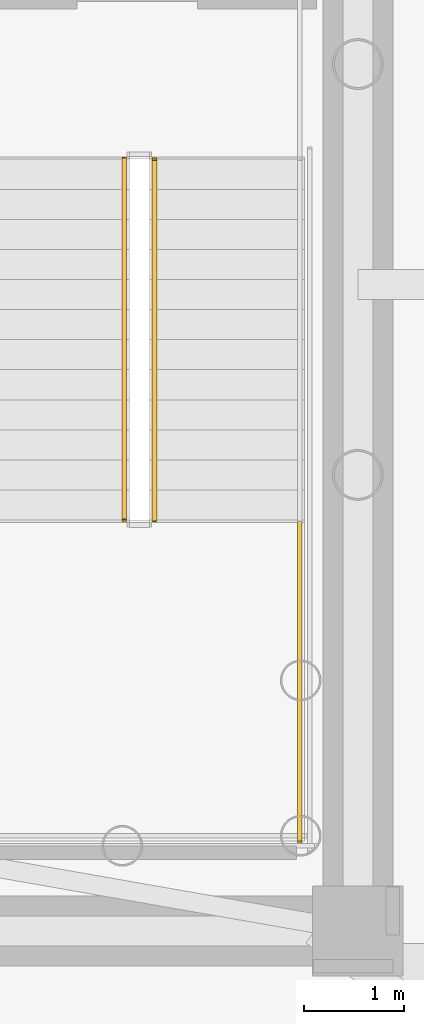
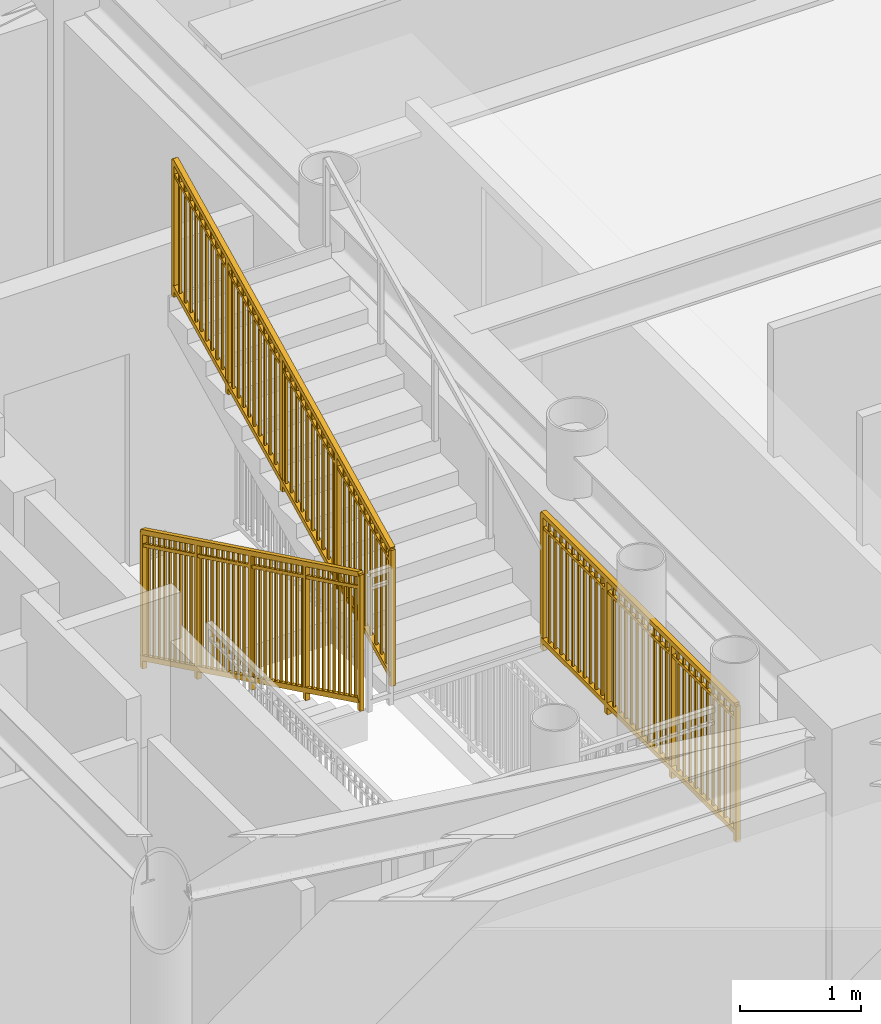
# One storey, part 13 of 17: 3 railings.
"""IFC4 building model written with IfcOpenShell, lengths in metres."""

import ifcopenshell
import ifcopenshell.guid

model = None  # the IFC model being written
_history = None  # IfcOwnerHistory: only IFC2X3 demands one
_inside = {}  # id of a spatial element -> (the spatial element, [elements in it])
_under = {}  # id of a project, library or spatial element -> (it, [spatial elements below it])
_declared = {}  # id of a project -> (the project, [libraries it declares])
_typed = {}  # id of a type object -> (the type object, [elements of that type])
_made_of = {}  # id of a material, layer set ... -> (it, [elements and type objects made of it])


def new_model(schema):
    """Start an empty IFC model of exactly this schema.

    Asked for "IFC4X3", IfcOpenShell would pick the latest addendum, in which some entities
    have other attributes; the version numbers below select the first issue.
    IFC2X3 requires an IfcOwnerHistory on every rooted entity: one is made here for all.
    """
    global model, _history
    if schema == "IFC4X3":
        model = ifcopenshell.file(schema_version=(4, 3, 0, 0))
    else:
        model = ifcopenshell.file(schema=schema)
    _inside.clear()
    _under.clear()
    _declared.clear()
    _typed.clear()
    _made_of.clear()
    _history = None
    if model.schema == "IFC2X3":
        org = make("IfcOrganization", Name="unknown")
        user = make(
            "IfcPersonAndOrganization",
            ThePerson=make("IfcPerson", FamilyName="unknown"),
            TheOrganization=org,
        )
        app = make(
            "IfcApplication",
            ApplicationDeveloper=org,
            Version="unknown",
            ApplicationFullName="unknown",
            ApplicationIdentifier="unknown",
        )
        _history = make(
            "IfcOwnerHistory",
            OwningUser=user,
            OwningApplication=app,
            ChangeAction="ADDED",
            CreationDate=0,
        )
    return model


def make(cls, **values):
    """One entity of the class cls with the attributes given. An attribute that is None is left unset."""
    return model.create_entity(
        cls, **{name: value for name, value in values.items() if value is not None}
    )


def rooted(cls, **values):
    """An entity with a GlobalId (a new one), such as an element, a storey or a relation."""
    return make(cls, GlobalId=ifcopenshell.guid.new(), OwnerHistory=_history, **values)


def si_unit(unit_type, name, prefix=None):
    """IfcSIUnit, for example si_unit("LENGTHUNIT", "METRE", prefix="MILLI")."""
    return make("IfcSIUnit", UnitType=unit_type, Prefix=prefix, Name=name)


def assignment(units):
    """IfcUnitAssignment: the units of a project."""
    return None if units is None else make("IfcUnitAssignment", Units=units)


def point(xyz):
    """IfcCartesianPoint."""
    return None if xyz is None else make("IfcCartesianPoint", Coordinates=xyz)


def direction(xyz):
    """IfcDirection."""
    return None if xyz is None else make("IfcDirection", DirectionRatios=xyz)


def frame(location, z_axis=None, x_axis=None):
    """IfcAxis2Placement3D, a coordinate frame: its origin and axes. An axis left out is left unset."""
    return make(
        "IfcAxis2Placement3D",
        Location=point(location),
        Axis=direction(z_axis),
        RefDirection=direction(x_axis),
    )


def frame_2d(location, x_axis=None):
    """IfcAxis2Placement2D, a coordinate frame in the plane: its origin and x axis."""
    return make(
        "IfcAxis2Placement2D", Location=point(location), RefDirection=direction(x_axis)
    )


def origin():
    """The frame at (0, 0, 0) with its axes left unset."""
    return frame((0.0, 0.0, 0.0))


def origin_2d():
    """The frame at (0, 0) in the plane with its x axis left unset."""
    return frame_2d((0.0, 0.0))


def place(relative_to, where):
    """IfcLocalPlacement: puts the frame where relative to a parent placement (None: the world)."""
    return make(
        "IfcLocalPlacement", PlacementRelTo=relative_to, RelativePlacement=where
    )


def context(
    kind, dimensions, precision=None, world=None, true_north=None, identifier=None
):
    """IfcGeometricRepresentationContext, for example the 3D "Model" context."""
    return make(
        "IfcGeometricRepresentationContext",
        ContextIdentifier=identifier,
        ContextType=kind,
        CoordinateSpaceDimension=dimensions,
        Precision=precision,
        WorldCoordinateSystem=world,
        TrueNorth=true_north,
    )


def subcontext(parent, identifier, kind, view, scale=None):
    """IfcGeometricRepresentationSubContext, for example "Body" below "Model"."""
    return make(
        "IfcGeometricRepresentationSubContext",
        ContextIdentifier=identifier,
        ContextType=kind,
        ParentContext=parent,
        TargetScale=scale,
        TargetView=view,
    )


def project(units=None, contexts=None):
    """IfcProject with its units and contexts."""
    return rooted(
        "IfcProject",
        Name="project",
        RepresentationContexts=contexts,
        UnitsInContext=assignment(units),
    )


def spatial(cls, under=None, at=None, **own):
    """A site, building, storey or space (cls), placed at a placement, below another one or the project."""
    s = rooted(cls, ObjectPlacement=at, **own)
    if under is not None:
        _under.setdefault(under.id(), (under, []))[1].append(s)
    return s


def profile(cls, at=None, kind="AREA", **sizes):
    """A parametric profile (cls). Its sizes go by their IFC names, for example OverallWidth=200.0."""
    return make(cls, ProfileType=kind, Position=at, **sizes)


def rectangle(**sizes):
    """IfcRectangleProfileDef."""
    return profile("IfcRectangleProfileDef", **sizes)


def extrude(swept, where, along, depth):
    """IfcExtrudedAreaSolid: the profile swept, set in the frame where, extruded along a direction by depth."""
    return make(
        "IfcExtrudedAreaSolid",
        SweptArea=swept,
        Position=where,
        ExtrudedDirection=direction(along),
        Depth=depth,
    )


def shape(context_of_items, identifier, shape_type, items):
    """IfcShapeRepresentation: the items that make up one representation, for example the "Body"."""
    return make(
        "IfcShapeRepresentation",
        ContextOfItems=context_of_items,
        RepresentationIdentifier=identifier,
        RepresentationType=shape_type,
        Items=items,
    )


def source(mapping_origin, context_of_items, identifier, shape_type, items):
    """IfcRepresentationMap: a shape defined once, which mapped items show again and again."""
    return make(
        "IfcRepresentationMap",
        MappingOrigin=mapping_origin,
        MappedRepresentation=shape(context_of_items, identifier, shape_type, items),
    )


def transform(
    local_origin,
    x_axis=None,
    y_axis=None,
    z_axis=None,
    scale=None,
    scale2=None,
    scale3=None,
    uniform=True,
):
    """IfcCartesianTransformationOperator3D, or its non-uniform kind. x_axis, y_axis, z_axis: its Axis1, 2, 3."""
    if uniform:
        return make(
            "IfcCartesianTransformationOperator3D",
            Axis1=direction(x_axis),
            Axis2=direction(y_axis),
            LocalOrigin=point(local_origin),
            Scale=scale,
            Axis3=direction(z_axis),
        )
    return make(
        "IfcCartesianTransformationOperator3DnonUniform",
        Axis1=direction(x_axis),
        Axis2=direction(y_axis),
        LocalOrigin=point(local_origin),
        Scale=scale,
        Axis3=direction(z_axis),
        Scale2=scale2,
        Scale3=scale3,
    )


def mapped(mapping_source, mapping_target):
    """IfcMappedItem: shows the shape of a source again, moved by a transform."""
    return make(
        "IfcMappedItem", MappingSource=mapping_source, MappingTarget=mapping_target
    )


def material(Name=None, Category=None):
    """IfcMaterial."""
    return make("IfcMaterial", Name=Name, Category=Category)


def made_of(thing, what):
    """Note that an element or type object is made of a material, layer set ...; save() writes the relation."""
    if what is not None:
        _made_of.setdefault(what.id(), (what, []))[1].append(thing)
    return thing


def type_object(cls, material=None, **own):
    """A type object (cls), such as IfcWallType, which elements share."""
    return made_of(rooted(cls, **own), material)


def element(
    cls,
    number,
    at=None,
    inside=None,
    cuts=None,
    type_object=None,
    material=None,
    context=None,
    identifier="Body",
    shape_type=None,
    held_by="IfcProductDefinitionShape",
    body=None,
    shapes=None,
    **own,
):
    """One element of the class cls, such as IfcWall. Its Tag is "e" and its number.

    at: its placement. inside: the storey or other place that contains it. cuts: it is an
    opening in that element (IfcRelVoidsElement). A single representation is given by context,
    identifier, shape_type and body (its items); several are given by shapes. held_by: the class
    of the entity that holds the representations. save() writes the other relations.
    """
    e = rooted(cls, Tag="e%d" % number, ObjectPlacement=at, **own)
    if body is not None:
        shapes = [shape(context, identifier, shape_type, body)]
    if shapes is not None:
        e.Representation = make(held_by, Representations=shapes)
    if inside is not None:
        _inside.setdefault(inside.id(), (inside, []))[1].append(e)
    if cuts is not None:
        rooted(
            "IfcRelVoidsElement", RelatingBuildingElement=cuts, RelatedOpeningElement=e
        )
    if type_object is not None:
        _typed.setdefault(type_object.id(), (type_object, []))[1].append(e)
    return made_of(e, material)


def aggregate(whole, parts):
    """IfcRelAggregates: a whole, such as a stair, and the parts it consists of."""
    return rooted("IfcRelAggregates", RelatingObject=whole, RelatedObjects=parts)


def save(model, path):
    """Write the relations noted so far, then the file.

    IfcRelAggregates (storeys below a building ...), IfcRelContainedInSpatialStructure (elements
    in a storey), IfcRelDefinesByType, IfcRelAssociatesMaterial and IfcRelDeclares: one each for
    every whole, place, type object, material and project.
    """
    for whole, parts in _under.values():
        aggregate(whole, parts)
    for where, things in _inside.values():
        rooted(
            "IfcRelContainedInSpatialStructure",
            RelatedElements=things,
            RelatingStructure=where,
        )
    for kind, things in _typed.values():
        rooted("IfcRelDefinesByType", RelatedObjects=things, RelatingType=kind)
    for what, things in _made_of.values():
        rooted("IfcRelAssociatesMaterial", RelatedObjects=things, RelatingMaterial=what)
    for by, libraries in _declared.values():
        rooted("IfcRelDeclares", RelatingContext=by, RelatedDefinitions=libraries)
    model.write(path)


model = new_model("IFC4")

# Units and contexts
model_context = context("Model", 3, precision=1e-05, world=origin(), true_north=direction((0.0, 1.0)))
body_context = subcontext(model_context, "Body", "Model", "MODEL_VIEW")
ifc_project = project(units=[si_unit("LENGTHUNIT", "METRE"), si_unit("AREAUNIT", "SQUARE_METRE"), si_unit("VOLUMEUNIT", "CUBIC_METRE"), si_unit("PLANEANGLEUNIT", "RADIAN"), si_unit("MASSUNIT", "GRAM", prefix="KILO")], contexts=[model_context])

# Site, building, storey
site_placement = place(None, origin())
site = spatial("IfcSite", under=ifc_project, at=site_placement, CompositionType="ELEMENT")
building_placement = place(site_placement, origin())
building = spatial("IfcBuilding", under=site, at=building_placement, Name="Linh Dai School and Residence Tower", CompositionType="ELEMENT")
storey_placement = place(building_placement, frame((0.0, 0.0, 335.39990234375)))
storey = spatial("IfcBuildingStorey", under=building, at=storey_placement, Name="L83", CompositionType="ELEMENT", Elevation=335.39990234375)

# Railings
ifc_material = material(Name="Structural Steel S355JR", Category="steel")
railing_type = type_object("IfcRailingType", Name="RL-ST-GUARD-1400", PredefinedType="GUARDRAIL", material=ifc_material)
shared_shape_1 = source(origin(), body_context, "Body", "SweptSolid", [
    extrude(rectangle(XDim=0.048095703125, YDim=0.048095703125, at=origin_2d()), frame((0.0, 0.0, 1.3759765625), z_axis=(0.0, -0.898988637874, 0.437971949985), x_axis=(1.0, 0.0, 0.0)), (0.0, 0.0, 1.0), 4.004638671875),
    extrude(rectangle(XDim=0.048095703125, YDim=0.048095703125, at=origin_2d()), frame((0.0, 0.0, 0.10009765625), z_axis=(0.0, -0.898988637874, 0.437971949985), x_axis=(1.0, 0.0, 0.0)), (0.0, 0.0, 1.0), 4.004638671875),
    extrude(rectangle(XDim=0.030029296875, YDim=0.030029296875, at=origin_2d()), frame((0.0, 0.0, 1.239990234375), z_axis=(0.0, -0.898988637874, 0.437971949985), x_axis=(1.0, 0.0, 0.0)), (0.0, 0.0, 1.0), 4.004638671875),
    extrude(rectangle(XDim=0.02001953125, YDim=0.02001953125, at=origin_2d()), frame((0.0, -0.087890625, 0.142822265625)), (0.0, 0.0, 1.0), 1.251708984375),
    extrude(rectangle(XDim=0.02001953125, YDim=0.02001953125, at=origin_2d()), frame((0.0, -0.175537109375, 0.185546875)), (0.0, 0.0, 1.0), 1.251708984375),
    extrude(rectangle(XDim=0.02001953125, YDim=0.02001953125, at=origin_2d()), frame((0.0, -0.263427734375, 0.228515625)), (0.0, 0.0, 1.0), 1.251708984375),
    extrude(rectangle(XDim=0.02001953125, YDim=0.02001953125, at=origin_2d()), frame((0.0, -0.351318359375, 0.271240234375)), (0.0, 0.0, 1.0), 1.251708984375),
    extrude(rectangle(XDim=0.02001953125, YDim=0.02001953125, at=origin_2d()), frame((0.0, -0.43896484375, 0.31396484375)), (0.0, 0.0, 1.0), 1.251708984375),
    extrude(rectangle(XDim=0.02001953125, YDim=0.02001953125, at=origin_2d()), frame((0.0, -0.52685546875, 0.356689453125)), (0.0, 0.0, 1.0), 1.251708984375),
    extrude(rectangle(XDim=0.02001953125, YDim=0.02001953125, at=origin_2d()), frame((0.0, -0.61474609375, 0.399658203125)), (0.0, 0.0, 1.0), 1.251708984375),
    extrude(rectangle(XDim=0.02001953125, YDim=0.02001953125, at=origin_2d()), frame((0.0, -0.702392578125, 0.4423828125)), (0.0, 0.0, 1.0), 1.251708984375),
    extrude(rectangle(XDim=0.02001953125, YDim=0.02001953125, at=origin_2d()), frame((0.0, -0.790283203125, 0.485107421875)), (0.0, 0.0, 1.0), 1.251708984375),
    extrude(rectangle(XDim=0.02001953125, YDim=0.02001953125, at=origin_2d()), frame((0.0, -0.9658203125, 0.570556640625)), (0.0, 0.0, 1.0), 1.251708984375),
    extrude(rectangle(XDim=0.02001953125, YDim=0.02001953125, at=origin_2d()), frame((0.0, -1.0537109375, 0.613525390625)), (0.0, 0.0, 1.0), 1.251708984375),
    extrude(rectangle(XDim=0.02001953125, YDim=0.02001953125, at=origin_2d()), frame((0.0, -1.1416015625, 0.65625)), (0.0, 0.0, 1.0), 1.251708984375),
    extrude(rectangle(XDim=0.02001953125, YDim=0.02001953125, at=origin_2d()), frame((0.0, -1.229248046875, 0.698974609375)), (0.0, 0.0, 1.0), 1.251708984375),
    extrude(rectangle(XDim=0.02001953125, YDim=0.02001953125, at=origin_2d()), frame((0.0, -1.317138671875, 0.74169921875)), (0.0, 0.0, 1.0), 1.251708984375),
    extrude(rectangle(XDim=0.02001953125, YDim=0.02001953125, at=origin_2d()), frame((0.0, -1.405029296875, 0.78466796875)), (0.0, 0.0, 1.0), 1.251708984375),
    extrude(rectangle(XDim=0.02001953125, YDim=0.02001953125, at=origin_2d()), frame((0.0, -1.49267578125, 0.827392578125)), (0.0, 0.0, 1.0), 1.251708984375),
    extrude(rectangle(XDim=0.02001953125, YDim=0.02001953125, at=origin_2d()), frame((0.0, -1.58056640625, 0.8701171875)), (0.0, 0.0, 1.0), 1.251708984375),
    extrude(rectangle(XDim=0.02001953125, YDim=0.02001953125, at=origin_2d()), frame((0.0, -1.66845703125, 0.912841796875)), (0.0, 0.0, 1.0), 1.251708984375),
    extrude(rectangle(XDim=0.02001953125, YDim=0.02001953125, at=origin_2d()), frame((0.0, -1.756103515625, 0.95556640625)), (0.0, 0.0, 1.0), 1.251708984375),
    extrude(rectangle(XDim=0.02001953125, YDim=0.02001953125, at=origin_2d()), frame((0.0, -1.843994140625, 0.99853515625)), (0.0, 0.0, 1.0), 1.251708984375),
    extrude(rectangle(XDim=0.02001953125, YDim=0.02001953125, at=origin_2d()), frame((0.0, -1.931640625, 1.041259765625)), (0.0, 0.0, 1.0), 1.251708984375),
    extrude(rectangle(XDim=0.02001953125, YDim=0.02001953125, at=origin_2d()), frame((0.0, -2.01953125, 1.083984375)), (0.0, 0.0, 1.0), 1.251708984375),
    extrude(rectangle(XDim=0.02001953125, YDim=0.02001953125, at=origin_2d()), frame((0.0, -2.107421875, 1.126708984375)), (0.0, 0.0, 1.0), 1.251708984375),
    extrude(rectangle(XDim=0.02001953125, YDim=0.02001953125, at=origin_2d()), frame((0.0, -2.195068359375, 1.16943359375)), (0.0, 0.0, 1.0), 1.251708984375),
    extrude(rectangle(XDim=0.02001953125, YDim=0.02001953125, at=origin_2d()), frame((0.0, -2.282958984375, 1.21240234375)), (0.0, 0.0, 1.0), 1.251708984375),
    extrude(rectangle(XDim=0.02001953125, YDim=0.02001953125, at=origin_2d()), frame((0.0, -2.370849609375, 1.255126953125)), (0.0, 0.0, 1.0), 1.251708984375),
    extrude(rectangle(XDim=0.02001953125, YDim=0.02001953125, at=origin_2d()), frame((0.0, -2.45849609375, 1.2978515625)), (0.0, 0.0, 1.0), 1.251708984375),
    extrude(rectangle(XDim=0.02001953125, YDim=0.02001953125, at=origin_2d()), frame((0.0, -2.54638671875, 1.340576171875)), (0.0, 0.0, 1.0), 1.251708984375),
    extrude(rectangle(XDim=0.02001953125, YDim=0.02001953125, at=origin_2d()), frame((0.0, -2.63427734375, 1.383544921875)), (0.0, 0.0, 1.0), 1.251708984375),
    extrude(rectangle(XDim=0.02001953125, YDim=0.02001953125, at=origin_2d()), frame((0.0, -2.809814453125, 1.468994140625)), (0.0, 0.0, 1.0), 1.251708984375),
    extrude(rectangle(XDim=0.02001953125, YDim=0.02001953125, at=origin_2d()), frame((0.0, -2.897705078125, 1.51171875)), (0.0, 0.0, 1.0), 1.251708984375),
    extrude(rectangle(XDim=0.02001953125, YDim=0.02001953125, at=origin_2d()), frame((0.0, -2.9853515625, 1.554443359375)), (0.0, 0.0, 1.0), 1.251708984375),
    extrude(rectangle(XDim=0.02001953125, YDim=0.02001953125, at=origin_2d()), frame((0.0, -3.0732421875, 1.597412109375)), (0.0, 0.0, 1.0), 1.251708984375),
    extrude(rectangle(XDim=0.02001953125, YDim=0.02001953125, at=origin_2d()), frame((0.0, -3.1611328125, 1.64013671875)), (0.0, 0.0, 1.0), 1.251708984375),
    extrude(rectangle(XDim=0.02001953125, YDim=0.02001953125, at=origin_2d()), frame((0.0, -3.248779296875, 1.682861328125)), (0.0, 0.0, 1.0), 1.251708984375),
    extrude(rectangle(XDim=0.02001953125, YDim=0.02001953125, at=origin_2d()), frame((0.0, -3.336669921875, 1.7255859375)), (0.0, 0.0, 1.0), 1.251708984375),
    extrude(rectangle(XDim=0.02001953125, YDim=0.02001953125, at=origin_2d()), frame((0.0, -3.424560546875, 1.7685546875)), (0.0, 0.0, 1.0), 1.251708984375),
    extrude(rectangle(XDim=0.02001953125, YDim=0.02001953125, at=origin_2d()), frame((0.0, -3.51220703125, 1.811279296875)), (0.0, 0.0, 1.0), 1.251708984375),
    extrude(rectangle(XDim=0.0419921875, YDim=0.0419921875, at=origin_2d()), origin(), (0.0, 0.0, 1.0), 1.3759765625),
    extrude(rectangle(XDim=0.0419921875, YDim=0.0419921875, at=origin_2d()), frame((0.0, -0.89990234375, 0.4384765625)), (0.0, 0.0, 1.0), 1.3759765625),
    extrude(rectangle(XDim=0.0419921875, YDim=0.0419921875, at=origin_2d()), frame((0.0, -1.800048828125, 0.876953125)), (0.0, 0.0, 1.0), 1.3759765625),
    extrude(rectangle(XDim=0.0419921875, YDim=0.0419921875, at=origin_2d()), frame((0.0, -2.7001953125, 1.3154296875)), (0.0, 0.0, 1.0), 1.3759765625),
    extrude(rectangle(XDim=0.0419921875, YDim=0.0419921875, at=origin_2d()), frame((0.0, -3.60009765625, 1.75390625)), (0.0, 0.0, 1.0), 1.3759765625),
])
railing_1_placement = place(storey_placement, frame((42.52001953125, 28.25, 0.146240234375)))
element("IfcRailing", 1, at=railing_1_placement, inside=storey, type_object=railing_type, Name="L83 ST2 stair guard 1", PredefinedType="GUARDRAIL", context=body_context, shape_type="MappedRepresentation", body=[
    mapped(shared_shape_1, transform((0.0, 0.0, 0.0), x_axis=(1.0, 0.0, 0.0), y_axis=(0.0, 1.0, 0.0), z_axis=(0.0, 0.0, 1.0), scale=1.0)),
])
shared_shape_2 = source(origin(), body_context, "Body", "SweptSolid", [
    extrude(rectangle(XDim=0.048095703125, YDim=0.048095703125, at=origin_2d()), frame((0.0, 0.0, 1.3759765625), z_axis=(0.0, 0.898988637874, 0.437971949985), x_axis=(-1.0, 0.0, 0.0)), (0.0, 0.0, 1.0), 4.004638671875),
    extrude(rectangle(XDim=0.048095703125, YDim=0.048095703125, at=origin_2d()), frame((0.0, 0.0, 0.10009765625), z_axis=(0.0, 0.898988637874, 0.437971949985), x_axis=(-1.0, 0.0, 0.0)), (0.0, 0.0, 1.0), 4.004638671875),
    extrude(rectangle(XDim=0.030029296875, YDim=0.030029296875, at=origin_2d()), frame((0.0, 0.0, 1.239990234375), z_axis=(0.0, 0.898988637874, 0.437971949985), x_axis=(-1.0, 0.0, 0.0)), (0.0, 0.0, 1.0), 4.004638671875),
    extrude(rectangle(XDim=0.02001953125, YDim=0.02001953125, at=origin_2d()), frame((0.0, 0.087890625, 0.142822265625)), (0.0, 0.0, 1.0), 1.251708984375),
    extrude(rectangle(XDim=0.02001953125, YDim=0.02001953125, at=origin_2d()), frame((0.0, 0.175537109375, 0.185546875)), (0.0, 0.0, 1.0), 1.251708984375),
    extrude(rectangle(XDim=0.02001953125, YDim=0.02001953125, at=origin_2d()), frame((0.0, 0.263427734375, 0.228515625)), (0.0, 0.0, 1.0), 1.251708984375),
    extrude(rectangle(XDim=0.02001953125, YDim=0.02001953125, at=origin_2d()), frame((0.0, 0.351318359375, 0.271240234375)), (0.0, 0.0, 1.0), 1.251708984375),
    extrude(rectangle(XDim=0.02001953125, YDim=0.02001953125, at=origin_2d()), frame((0.0, 0.43896484375, 0.31396484375)), (0.0, 0.0, 1.0), 1.251708984375),
    extrude(rectangle(XDim=0.02001953125, YDim=0.02001953125, at=origin_2d()), frame((0.0, 0.52685546875, 0.356689453125)), (0.0, 0.0, 1.0), 1.251708984375),
    extrude(rectangle(XDim=0.02001953125, YDim=0.02001953125, at=origin_2d()), frame((0.0, 0.61474609375, 0.399658203125)), (0.0, 0.0, 1.0), 1.251708984375),
    extrude(rectangle(XDim=0.02001953125, YDim=0.02001953125, at=origin_2d()), frame((0.0, 0.702392578125, 0.4423828125)), (0.0, 0.0, 1.0), 1.251708984375),
    extrude(rectangle(XDim=0.02001953125, YDim=0.02001953125, at=origin_2d()), frame((0.0, 0.790283203125, 0.485107421875)), (0.0, 0.0, 1.0), 1.251708984375),
    extrude(rectangle(XDim=0.02001953125, YDim=0.02001953125, at=origin_2d()), frame((0.0, 0.9658203125, 0.570556640625)), (0.0, 0.0, 1.0), 1.251708984375),
    extrude(rectangle(XDim=0.02001953125, YDim=0.02001953125, at=origin_2d()), frame((0.0, 1.0537109375, 0.613525390625)), (0.0, 0.0, 1.0), 1.251708984375),
    extrude(rectangle(XDim=0.02001953125, YDim=0.02001953125, at=origin_2d()), frame((0.0, 1.1416015625, 0.65625)), (0.0, 0.0, 1.0), 1.251708984375),
    extrude(rectangle(XDim=0.02001953125, YDim=0.02001953125, at=origin_2d()), frame((0.0, 1.229248046875, 0.698974609375)), (0.0, 0.0, 1.0), 1.251708984375),
    extrude(rectangle(XDim=0.02001953125, YDim=0.02001953125, at=origin_2d()), frame((0.0, 1.317138671875, 0.74169921875)), (0.0, 0.0, 1.0), 1.251708984375),
    extrude(rectangle(XDim=0.02001953125, YDim=0.02001953125, at=origin_2d()), frame((0.0, 1.405029296875, 0.78466796875)), (0.0, 0.0, 1.0), 1.251708984375),
    extrude(rectangle(XDim=0.02001953125, YDim=0.02001953125, at=origin_2d()), frame((0.0, 1.49267578125, 0.827392578125)), (0.0, 0.0, 1.0), 1.251708984375),
    extrude(rectangle(XDim=0.02001953125, YDim=0.02001953125, at=origin_2d()), frame((0.0, 1.58056640625, 0.8701171875)), (0.0, 0.0, 1.0), 1.251708984375),
    extrude(rectangle(XDim=0.02001953125, YDim=0.02001953125, at=origin_2d()), frame((0.0, 1.66845703125, 0.912841796875)), (0.0, 0.0, 1.0), 1.251708984375),
    extrude(rectangle(XDim=0.02001953125, YDim=0.02001953125, at=origin_2d()), frame((0.0, 1.756103515625, 0.95556640625)), (0.0, 0.0, 1.0), 1.251708984375),
    extrude(rectangle(XDim=0.02001953125, YDim=0.02001953125, at=origin_2d()), frame((0.0, 1.843994140625, 0.99853515625)), (0.0, 0.0, 1.0), 1.251708984375),
    extrude(rectangle(XDim=0.02001953125, YDim=0.02001953125, at=origin_2d()), frame((0.0, 1.931640625, 1.041259765625)), (0.0, 0.0, 1.0), 1.251708984375),
    extrude(rectangle(XDim=0.02001953125, YDim=0.02001953125, at=origin_2d()), frame((0.0, 2.01953125, 1.083984375)), (0.0, 0.0, 1.0), 1.251708984375),
    extrude(rectangle(XDim=0.02001953125, YDim=0.02001953125, at=origin_2d()), frame((0.0, 2.107421875, 1.126708984375)), (0.0, 0.0, 1.0), 1.251708984375),
    extrude(rectangle(XDim=0.02001953125, YDim=0.02001953125, at=origin_2d()), frame((0.0, 2.195068359375, 1.16943359375)), (0.0, 0.0, 1.0), 1.251708984375),
    extrude(rectangle(XDim=0.02001953125, YDim=0.02001953125, at=origin_2d()), frame((0.0, 2.282958984375, 1.21240234375)), (0.0, 0.0, 1.0), 1.251708984375),
    extrude(rectangle(XDim=0.02001953125, YDim=0.02001953125, at=origin_2d()), frame((0.0, 2.370849609375, 1.255126953125)), (0.0, 0.0, 1.0), 1.251708984375),
    extrude(rectangle(XDim=0.02001953125, YDim=0.02001953125, at=origin_2d()), frame((0.0, 2.45849609375, 1.2978515625)), (0.0, 0.0, 1.0), 1.251708984375),
    extrude(rectangle(XDim=0.02001953125, YDim=0.02001953125, at=origin_2d()), frame((0.0, 2.54638671875, 1.340576171875)), (0.0, 0.0, 1.0), 1.251708984375),
    extrude(rectangle(XDim=0.02001953125, YDim=0.02001953125, at=origin_2d()), frame((0.0, 2.63427734375, 1.383544921875)), (0.0, 0.0, 1.0), 1.251708984375),
    extrude(rectangle(XDim=0.02001953125, YDim=0.02001953125, at=origin_2d()), frame((0.0, 2.809814453125, 1.468994140625)), (0.0, 0.0, 1.0), 1.251708984375),
    extrude(rectangle(XDim=0.02001953125, YDim=0.02001953125, at=origin_2d()), frame((0.0, 2.897705078125, 1.51171875)), (0.0, 0.0, 1.0), 1.251708984375),
    extrude(rectangle(XDim=0.02001953125, YDim=0.02001953125, at=origin_2d()), frame((0.0, 2.9853515625, 1.554443359375)), (0.0, 0.0, 1.0), 1.251708984375),
    extrude(rectangle(XDim=0.02001953125, YDim=0.02001953125, at=origin_2d()), frame((0.0, 3.0732421875, 1.597412109375)), (0.0, 0.0, 1.0), 1.251708984375),
    extrude(rectangle(XDim=0.02001953125, YDim=0.02001953125, at=origin_2d()), frame((0.0, 3.1611328125, 1.64013671875)), (0.0, 0.0, 1.0), 1.251708984375),
    extrude(rectangle(XDim=0.02001953125, YDim=0.02001953125, at=origin_2d()), frame((0.0, 3.248779296875, 1.682861328125)), (0.0, 0.0, 1.0), 1.251708984375),
    extrude(rectangle(XDim=0.02001953125, YDim=0.02001953125, at=origin_2d()), frame((0.0, 3.336669921875, 1.7255859375)), (0.0, 0.0, 1.0), 1.251708984375),
    extrude(rectangle(XDim=0.02001953125, YDim=0.02001953125, at=origin_2d()), frame((0.0, 3.424560546875, 1.7685546875)), (0.0, 0.0, 1.0), 1.251708984375),
    extrude(rectangle(XDim=0.02001953125, YDim=0.02001953125, at=origin_2d()), frame((0.0, 3.51220703125, 1.811279296875)), (0.0, 0.0, 1.0), 1.251708984375),
    extrude(rectangle(XDim=0.0419921875, YDim=0.0419921875, at=origin_2d()), origin(), (0.0, 0.0, 1.0), 1.3759765625),
    extrude(rectangle(XDim=0.0419921875, YDim=0.0419921875, at=origin_2d()), frame((0.0, 0.89990234375, 0.4384765625)), (0.0, 0.0, 1.0), 1.3759765625),
    extrude(rectangle(XDim=0.0419921875, YDim=0.0419921875, at=origin_2d()), frame((0.0, 1.800048828125, 0.876953125)), (0.0, 0.0, 1.0), 1.3759765625),
    extrude(rectangle(XDim=0.0419921875, YDim=0.0419921875, at=origin_2d()), frame((0.0, 2.7001953125, 1.3154296875)), (0.0, 0.0, 1.0), 1.3759765625),
    extrude(rectangle(XDim=0.0419921875, YDim=0.0419921875, at=origin_2d()), frame((0.0, 3.60009765625, 1.75390625)), (0.0, 0.0, 1.0), 1.3759765625),
])
railing_2_placement = place(storey_placement, frame((42.820068359375, 24.64990234375, 2.046142578125)))
element("IfcRailing", 2, at=railing_2_placement, inside=storey, type_object=railing_type, Name="L83 ST2 stair guard 6", PredefinedType="GUARDRAIL", context=body_context, shape_type="MappedRepresentation", body=[
    mapped(shared_shape_2, transform((0.0, 0.0, 0.0), x_axis=(1.0, 0.0, 0.0), y_axis=(0.0, 1.0, 0.0), z_axis=(0.0, 0.0, 1.0), scale=1.0)),
])
shared_shape_3 = source(origin(), body_context, "Body", "SweptSolid", [
    extrude(rectangle(XDim=0.048095703125, YDim=0.048095703125, at=origin_2d()), frame((0.0, 0.0, 1.3759765625), z_axis=(0.0, -1.0, 0.0), x_axis=(1.0, 0.0, 0.0)), (0.0, 0.0, 1.0), 3.199951171875),
    extrude(rectangle(XDim=0.048095703125, YDim=0.048095703125, at=origin_2d()), frame((0.0, 0.0, 0.10009765625), z_axis=(0.0, -1.0, 0.0), x_axis=(1.0, 0.0, 0.0)), (0.0, 0.0, 1.0), 3.199951171875),
    extrude(rectangle(XDim=0.030029296875, YDim=0.030029296875, at=origin_2d()), frame((0.0, 0.0, 1.239990234375), z_axis=(0.0, -1.0, 0.0), x_axis=(1.0, 0.0, 0.0)), (0.0, 0.0, 1.0), 3.199951171875),
    extrude(rectangle(XDim=0.02001953125, YDim=0.02001953125, at=origin_2d()), frame((0.0, -0.096923828125, 0.10009765625)), (0.0, 0.0, 1.0), 1.251708984375),
    extrude(rectangle(XDim=0.02001953125, YDim=0.02001953125, at=origin_2d()), frame((0.0, -0.19384765625, 0.10009765625)), (0.0, 0.0, 1.0), 1.251708984375),
    extrude(rectangle(XDim=0.02001953125, YDim=0.02001953125, at=origin_2d()), frame((0.0, -0.291015625, 0.10009765625)), (0.0, 0.0, 1.0), 1.251708984375),
    extrude(rectangle(XDim=0.02001953125, YDim=0.02001953125, at=origin_2d()), frame((0.0, -0.387939453125, 0.10009765625)), (0.0, 0.0, 1.0), 1.251708984375),
    extrude(rectangle(XDim=0.02001953125, YDim=0.02001953125, at=origin_2d()), frame((0.0, -0.48486328125, 0.10009765625)), (0.0, 0.0, 1.0), 1.251708984375),
    extrude(rectangle(XDim=0.02001953125, YDim=0.02001953125, at=origin_2d()), frame((0.0, -0.581787109375, 0.10009765625)), (0.0, 0.0, 1.0), 1.251708984375),
    extrude(rectangle(XDim=0.02001953125, YDim=0.02001953125, at=origin_2d()), frame((0.0, -0.6787109375, 0.10009765625)), (0.0, 0.0, 1.0), 1.251708984375),
    extrude(rectangle(XDim=0.02001953125, YDim=0.02001953125, at=origin_2d()), frame((0.0, -0.775634765625, 0.10009765625)), (0.0, 0.0, 1.0), 1.251708984375),
    extrude(rectangle(XDim=0.02001953125, YDim=0.02001953125, at=origin_2d()), frame((0.0, -0.872802734375, 0.10009765625)), (0.0, 0.0, 1.0), 1.251708984375),
    extrude(rectangle(XDim=0.02001953125, YDim=0.02001953125, at=origin_2d()), frame((0.0, -0.9697265625, 0.10009765625)), (0.0, 0.0, 1.0), 1.251708984375),
    extrude(rectangle(XDim=0.02001953125, YDim=0.02001953125, at=origin_2d()), frame((0.0, -1.16357421875, 0.10009765625)), (0.0, 0.0, 1.0), 1.251708984375),
    extrude(rectangle(XDim=0.02001953125, YDim=0.02001953125, at=origin_2d()), frame((0.0, -1.260498046875, 0.10009765625)), (0.0, 0.0, 1.0), 1.251708984375),
    extrude(rectangle(XDim=0.02001953125, YDim=0.02001953125, at=origin_2d()), frame((0.0, -1.357666015625, 0.10009765625)), (0.0, 0.0, 1.0), 1.251708984375),
    extrude(rectangle(XDim=0.02001953125, YDim=0.02001953125, at=origin_2d()), frame((0.0, -1.45458984375, 0.10009765625)), (0.0, 0.0, 1.0), 1.251708984375),
    extrude(rectangle(XDim=0.02001953125, YDim=0.02001953125, at=origin_2d()), frame((0.0, -1.551513671875, 0.10009765625)), (0.0, 0.0, 1.0), 1.251708984375),
    extrude(rectangle(XDim=0.02001953125, YDim=0.02001953125, at=origin_2d()), frame((0.0, -1.6484375, 0.10009765625)), (0.0, 0.0, 1.0), 1.251708984375),
    extrude(rectangle(XDim=0.02001953125, YDim=0.02001953125, at=origin_2d()), frame((0.0, -1.745361328125, 0.10009765625)), (0.0, 0.0, 1.0), 1.251708984375),
    extrude(rectangle(XDim=0.02001953125, YDim=0.02001953125, at=origin_2d()), frame((0.0, -1.84228515625, 0.10009765625)), (0.0, 0.0, 1.0), 1.251708984375),
    extrude(rectangle(XDim=0.02001953125, YDim=0.02001953125, at=origin_2d()), frame((0.0, -1.939453125, 0.10009765625)), (0.0, 0.0, 1.0), 1.251708984375),
    extrude(rectangle(XDim=0.02001953125, YDim=0.02001953125, at=origin_2d()), frame((0.0, -2.036376953125, 0.10009765625)), (0.0, 0.0, 1.0), 1.251708984375),
    extrude(rectangle(XDim=0.02001953125, YDim=0.02001953125, at=origin_2d()), frame((0.0, -2.230224609375, 0.10009765625)), (0.0, 0.0, 1.0), 1.251708984375),
    extrude(rectangle(XDim=0.02001953125, YDim=0.02001953125, at=origin_2d()), frame((0.0, -2.3271484375, 0.10009765625)), (0.0, 0.0, 1.0), 1.251708984375),
    extrude(rectangle(XDim=0.02001953125, YDim=0.02001953125, at=origin_2d()), frame((0.0, -2.42431640625, 0.10009765625)), (0.0, 0.0, 1.0), 1.251708984375),
    extrude(rectangle(XDim=0.02001953125, YDim=0.02001953125, at=origin_2d()), frame((0.0, -2.521240234375, 0.10009765625)), (0.0, 0.0, 1.0), 1.251708984375),
    extrude(rectangle(XDim=0.02001953125, YDim=0.02001953125, at=origin_2d()), frame((0.0, -2.6181640625, 0.10009765625)), (0.0, 0.0, 1.0), 1.251708984375),
    extrude(rectangle(XDim=0.02001953125, YDim=0.02001953125, at=origin_2d()), frame((0.0, -2.715087890625, 0.10009765625)), (0.0, 0.0, 1.0), 1.251708984375),
    extrude(rectangle(XDim=0.02001953125, YDim=0.02001953125, at=origin_2d()), frame((0.0, -2.81201171875, 0.10009765625)), (0.0, 0.0, 1.0), 1.251708984375),
    extrude(rectangle(XDim=0.02001953125, YDim=0.02001953125, at=origin_2d()), frame((0.0, -2.908935546875, 0.10009765625)), (0.0, 0.0, 1.0), 1.251708984375),
    extrude(rectangle(XDim=0.02001953125, YDim=0.02001953125, at=origin_2d()), frame((0.0, -3.006103515625, 0.10009765625)), (0.0, 0.0, 1.0), 1.251708984375),
    extrude(rectangle(XDim=0.02001953125, YDim=0.02001953125, at=origin_2d()), frame((0.0, -3.10302734375, 0.10009765625)), (0.0, 0.0, 1.0), 1.251708984375),
    extrude(rectangle(XDim=0.0419921875, YDim=0.0419921875, at=origin_2d()), origin(), (0.0, 0.0, 1.0), 1.3759765625),
    extrude(rectangle(XDim=0.0419921875, YDim=0.0419921875, at=origin_2d()), frame((0.0, -1.066650390625, 0.0)), (0.0, 0.0, 1.0), 1.3759765625),
    extrude(rectangle(XDim=0.0419921875, YDim=0.0419921875, at=origin_2d()), frame((0.0, -2.13330078125, 0.0)), (0.0, 0.0, 1.0), 1.3759765625),
    extrude(rectangle(XDim=0.0419921875, YDim=0.0419921875, at=origin_2d()), frame((0.0, -3.199951171875, 0.0)), (0.0, 0.0, 1.0), 1.3759765625),
])
railing_3_placement = place(storey_placement, frame((44.27001953125, 24.64990234375, 1.900146484375)))
element("IfcRailing", 3, at=railing_3_placement, inside=storey, type_object=railing_type, Name="L83 ST2 stair guard 4", PredefinedType="GUARDRAIL", context=body_context, shape_type="MappedRepresentation", body=[
    mapped(shared_shape_3, transform((0.0, 0.0, 0.0), x_axis=(1.0, 0.0, 0.0), y_axis=(0.0, 1.0, 0.0), z_axis=(0.0, 0.0, 1.0), scale=1.0)),
])

save(model, "model.ifc")
